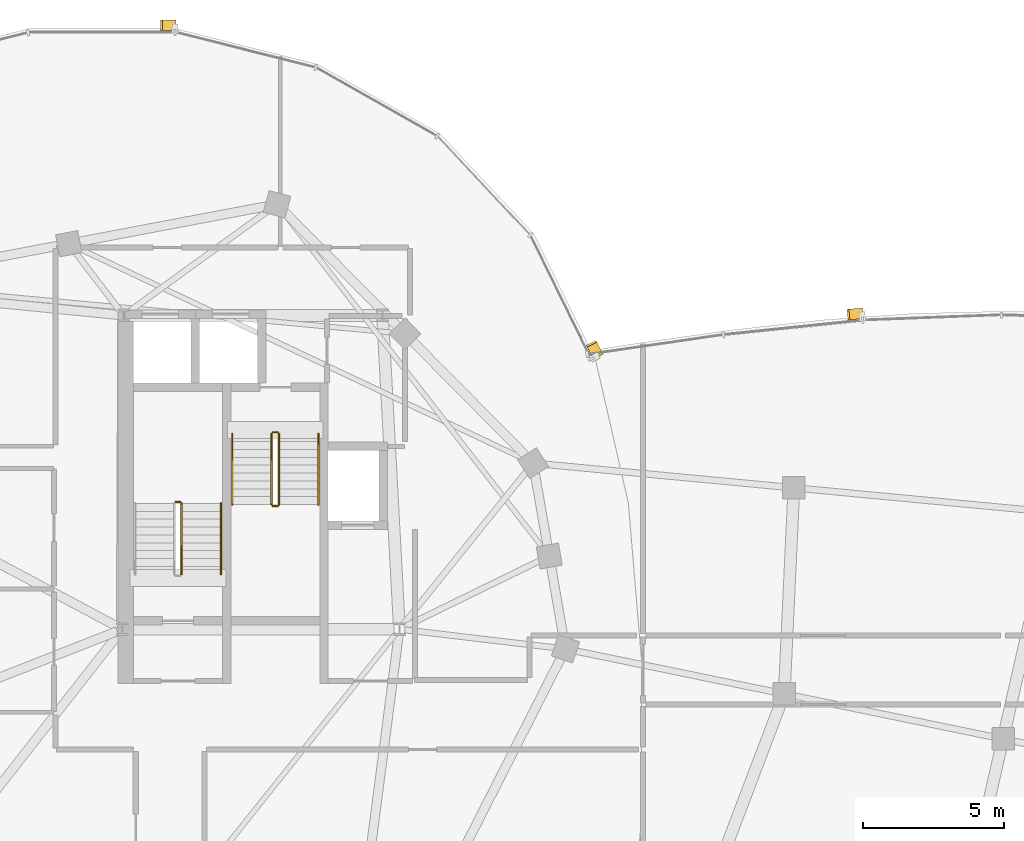
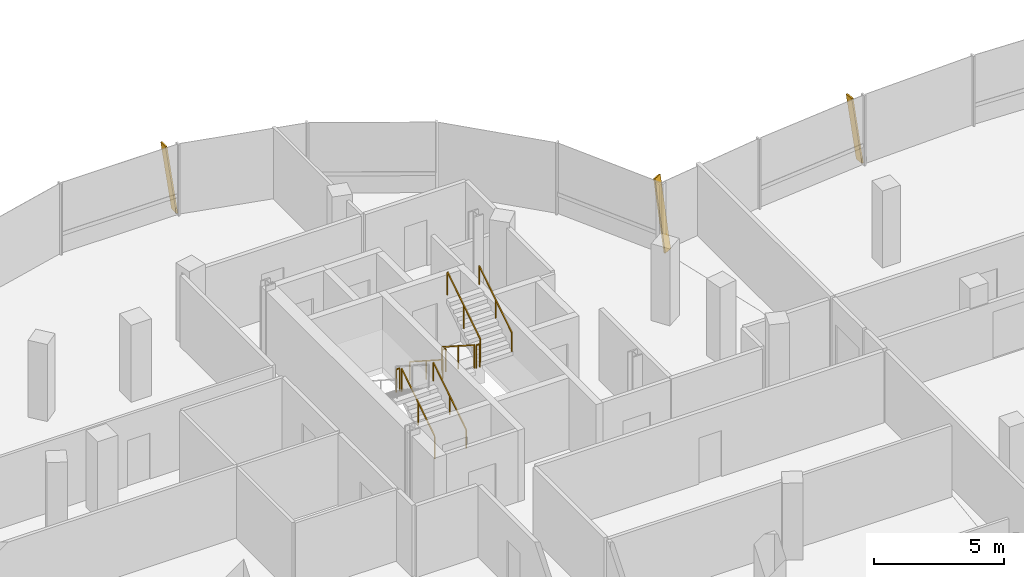
# One storey, part 23 of 25: 9 railings, 3 shading devices.
"""IFC4 building model written with IfcOpenShell, lengths in metres."""

from ifc_helpers import new_model, si_unit, direction, frame, origin, origin_2d, place, context, subcontext, project, spatial, rectangle, extrude, material, material_profile, profile_set, type_object, element, save


model = new_model("IFC4")

# Units and contexts
model_context = context("Model", 3, precision=1e-05, world=origin(), true_north=direction((0.0, 1.0)))
body_context = subcontext(model_context, "Body", "Model", "MODEL_VIEW")
ifc_project = project(units=[si_unit("LENGTHUNIT", "METRE"), si_unit("AREAUNIT", "SQUARE_METRE"), si_unit("VOLUMEUNIT", "CUBIC_METRE"), si_unit("PLANEANGLEUNIT", "RADIAN"), si_unit("MASSUNIT", "GRAM", prefix="KILO"), si_unit("THERMODYNAMICTEMPERATUREUNIT", "KELVIN"), si_unit("POWERUNIT", "WATT")], contexts=[model_context])

# Site, building, storey
site_placement = place(None, origin())
site = spatial("IfcSite", under=ifc_project, at=site_placement, CompositionType="ELEMENT")
building_placement = place(site_placement, origin())
building = spatial("IfcBuilding", under=site, at=building_placement, Name="Cundina Bronze Exchange", CompositionType="ELEMENT")
storey_placement = place(building_placement, frame((0.0, 0.0, 246.800048828125)))
storey = spatial("IfcBuildingStorey", under=building, at=storey_placement, Name="L65", CompositionType="ELEMENT", Elevation=246.800048828125)

# Railings
ifc_material_1 = material(Name="Steel ASTM A36 Painted", Category="steel")
railing_type_1 = type_object("IfcRailingType", Name="RLG-HND-900", PredefinedType="HANDRAIL", material=ifc_material_1)
railing_1_placement = place(storey_placement, frame((-27.7900390625, 5.85009765625, 0.179931640625)))
element("IfcRailing", 1, at=railing_1_placement, inside=storey, type_object=railing_type_1, Name="L65 ST-W1 stair handrail 1", PredefinedType="HANDRAIL", context=body_context, shape_type="SweptSolid", body=[
    extrude(rectangle(XDim=0.048095703125, YDim=0.048095703125, at=origin_2d()), frame((0.0, 0.0, 0.8759765625), z_axis=(0.0, 0.841162588446, 0.540782303519), x_axis=(-1.0, 0.0, 0.0)), (0.0, 0.0, 1.0), 2.995849609375),
    extrude(rectangle(XDim=0.0419921875, YDim=0.0419921875, at=origin_2d()), origin(), (0.0, 0.0, 1.0), 0.851806640625),
    extrude(rectangle(XDim=0.0419921875, YDim=0.0419921875, at=origin_2d()), frame((0.0, 1.260009765625, 0.81005859375)), (0.0, 0.0, 1.0), 0.851806640625),
    extrude(rectangle(XDim=0.0419921875, YDim=0.0419921875, at=origin_2d()), frame((0.0, 2.52001953125, 1.6201171875)), (0.0, 0.0, 1.0), 0.851806640625),
])
railing_2_placement = place(storey_placement, frame((-27.389892578125, 10.85009765625, 0.179931640625)))
element("IfcRailing", 2, at=railing_2_placement, inside=storey, type_object=railing_type_1, Name="L65 ST-W2 stair handrail 1", PredefinedType="HANDRAIL", context=body_context, shape_type="SweptSolid", body=[
    extrude(rectangle(XDim=0.048095703125, YDim=0.048095703125, at=origin_2d()), frame((0.0, 0.0, 0.8759765625), z_axis=(0.0, -0.841162588446, 0.540782303519), x_axis=(1.0, 0.0, 0.0)), (0.0, 0.0, 1.0), 2.995849609375),
    extrude(rectangle(XDim=0.0419921875, YDim=0.0419921875, at=origin_2d()), origin(), (0.0, 0.0, 1.0), 0.851806640625),
    extrude(rectangle(XDim=0.0419921875, YDim=0.0419921875, at=origin_2d()), frame((0.0, -1.260009765625, 0.81005859375)), (0.0, 0.0, 1.0), 0.851806640625),
    extrude(rectangle(XDim=0.0419921875, YDim=0.0419921875, at=origin_2d()), frame((0.0, -2.52001953125, 1.6201171875)), (0.0, 0.0, 1.0), 0.851806640625),
])
railing_3_placement = place(storey_placement, frame((-24.330078125, 8.330078125, 1.97998046875)))
element("IfcRailing", 3, at=railing_3_placement, inside=storey, type_object=railing_type_1, Name="L65 ST-W2 stair handrail 2", PredefinedType="HANDRAIL", context=body_context, shape_type="SweptSolid", body=[
    extrude(rectangle(XDim=0.048095703125, YDim=0.048095703125, at=origin_2d()), frame((0.0, 0.0, 0.8759765625), z_axis=(0.0, 0.841199657755, 0.540724639528), x_axis=(-1.0, 0.0, 0.0)), (0.0, 0.0, 1.0), 2.995849609375),
    extrude(rectangle(XDim=0.0419921875, YDim=0.0419921875, at=origin_2d()), origin(), (0.0, 0.0, 1.0), 0.851806640625),
    extrude(rectangle(XDim=0.0419921875, YDim=0.0419921875, at=origin_2d()), frame((0.0, 1.260009765625, 0.81005859375)), (0.0, 0.0, 1.0), 0.851806640625),
    extrude(rectangle(XDim=0.0419921875, YDim=0.0419921875, at=origin_2d()), frame((0.0, 2.52001953125, 1.619873046875)), (0.0, 0.0, 1.0), 0.851806640625),
])
railing_type_2 = type_object("IfcRailingType", Name="RLG-STG-1100", PredefinedType="GUARDRAIL", material=ifc_material_1)
railing_4_placement = place(storey_placement, frame((-29.18994140625, 5.85009765625, 0.179931640625)))
element("IfcRailing", 4, at=railing_4_placement, inside=storey, type_object=railing_type_2, Name="L65 ST-W1 stair guard 1", PredefinedType="GUARDRAIL", context=body_context, shape_type="SweptSolid", body=[
    extrude(rectangle(XDim=0.048095703125, YDim=0.048095703125, at=origin_2d()), frame((0.0, 0.0, 1.076171875), z_axis=(0.0, 0.841162588446, 0.540782303519), x_axis=(-1.0, 0.0, 0.0)), (0.0, 0.0, 1.0), 2.995849609375),
    extrude(rectangle(XDim=0.0419921875, YDim=0.0419921875, at=origin_2d()), origin(), (0.0, 0.0, 1.0), 1.052001953125),
    extrude(rectangle(XDim=0.0419921875, YDim=0.0419921875, at=origin_2d()), frame((0.0, 1.260009765625, 0.81005859375)), (0.0, 0.0, 1.0), 1.052001953125),
    extrude(rectangle(XDim=0.0419921875, YDim=0.0419921875, at=origin_2d()), frame((0.0, 2.52001953125, 1.6201171875)), (0.0, 0.0, 1.0), 1.052001953125),
])
railing_5_placement = place(storey_placement, frame((-29.239990234375, 8.419921875, 1.800048828125)))
element("IfcRailing", 5, at=railing_5_placement, inside=storey, type_object=railing_type_2, Name="L65 ST-W1 stair guard 2", PredefinedType="GUARDRAIL", context=body_context, shape_type="SweptSolid", body=[
    extrude(rectangle(XDim=0.048095703125, YDim=0.048095703125, at=origin_2d()), frame((0.0, 0.0, 1.076171875), z_axis=(-1.0, 0.0, 0.0), x_axis=(0.0, -1.0, 0.0)), (0.0, 0.0, 1.0), 0.159912109375),
    extrude(rectangle(XDim=0.0419921875, YDim=0.0419921875, at=origin_2d()), origin(), (0.0, 0.0, 1.0), 1.052001953125),
    extrude(rectangle(XDim=0.0419921875, YDim=0.0419921875, at=origin_2d()), frame((-0.159912109375, 0.0, 0.0)), (0.0, 0.0, 1.0), 1.052001953125),
])
railing_6_placement = place(storey_placement, frame((-25.989990234375, 10.85009765625, 0.179931640625)))
element("IfcRailing", 6, at=railing_6_placement, inside=storey, type_object=railing_type_2, Name="L65 ST-W2 stair guard 1", PredefinedType="GUARDRAIL", context=body_context, shape_type="SweptSolid", body=[
    extrude(rectangle(XDim=0.048095703125, YDim=0.048095703125, at=origin_2d()), frame((0.0, 0.0, 1.076171875), z_axis=(0.0, -0.841162588446, 0.540782303519), x_axis=(1.0, 0.0, 0.0)), (0.0, 0.0, 1.0), 2.995849609375),
    extrude(rectangle(XDim=0.0419921875, YDim=0.0419921875, at=origin_2d()), origin(), (0.0, 0.0, 1.0), 1.052001953125),
    extrude(rectangle(XDim=0.0419921875, YDim=0.0419921875, at=origin_2d()), frame((0.0, -1.260009765625, 0.81005859375)), (0.0, 0.0, 1.0), 1.052001953125),
    extrude(rectangle(XDim=0.0419921875, YDim=0.0419921875, at=origin_2d()), frame((0.0, -2.52001953125, 1.6201171875)), (0.0, 0.0, 1.0), 1.052001953125),
])
railing_7_placement = place(storey_placement, frame((-25.93994140625, 8.280029296875, 1.800048828125)))
element("IfcRailing", 7, at=railing_7_placement, inside=storey, type_object=railing_type_2, Name="L65 ST-W2 stair guard 2", PredefinedType="GUARDRAIL", context=body_context, shape_type="SweptSolid", body=[
    extrude(rectangle(XDim=0.048095703125, YDim=0.048095703125, at=origin_2d()), frame((0.0, 0.0, 1.076171875), z_axis=(1.0, 0.0, 0.0), x_axis=(0.0, 1.0, 0.0)), (0.0, 0.0, 1.0), 0.159912109375),
    extrude(rectangle(XDim=0.0419921875, YDim=0.0419921875, at=origin_2d()), origin(), (0.0, 0.0, 1.0), 1.052001953125),
    extrude(rectangle(XDim=0.0419921875, YDim=0.0419921875, at=origin_2d()), frame((0.159912109375, 0.0, 0.0)), (0.0, 0.0, 1.0), 1.052001953125),
])
railing_8_placement = place(storey_placement, frame((-25.72998046875, 8.330078125, 1.97998046875)))
element("IfcRailing", 8, at=railing_8_placement, inside=storey, type_object=railing_type_2, Name="L65 ST-W2 stair guard 3", PredefinedType="GUARDRAIL", context=body_context, shape_type="SweptSolid", body=[
    extrude(rectangle(XDim=0.048095703125, YDim=0.048095703125, at=origin_2d()), frame((0.0, 0.0, 1.076171875), z_axis=(0.0, 0.841199657755, 0.540724639528), x_axis=(-1.0, 0.0, 0.0)), (0.0, 0.0, 1.0), 2.995849609375),
    extrude(rectangle(XDim=0.0419921875, YDim=0.0419921875, at=origin_2d()), origin(), (0.0, 0.0, 1.0), 1.052001953125),
    extrude(rectangle(XDim=0.0419921875, YDim=0.0419921875, at=origin_2d()), frame((0.0, 1.260009765625, 0.81005859375)), (0.0, 0.0, 1.0), 1.052001953125),
    extrude(rectangle(XDim=0.0419921875, YDim=0.0419921875, at=origin_2d()), frame((0.0, 2.52001953125, 1.619873046875)), (0.0, 0.0, 1.0), 1.052001953125),
])
railing_9_placement = place(storey_placement, frame((-25.93994140625, 10.89990234375, 0.0)))
element("IfcRailing", 9, at=railing_9_placement, inside=storey, type_object=railing_type_2, Name="L65 ST-W2 stair guard 4", PredefinedType="GUARDRAIL", context=body_context, shape_type="SweptSolid", body=[
    extrude(rectangle(XDim=0.048095703125, YDim=0.048095703125, at=origin_2d()), frame((0.0, 0.0, 1.076171875), z_axis=(1.0, 0.0, 0.0), x_axis=(0.0, 1.0, 0.0)), (0.0, 0.0, 1.0), 0.159912109375),
    extrude(rectangle(XDim=0.0419921875, YDim=0.0419921875, at=origin_2d()), origin(), (0.0, 0.0, 1.0), 1.052001953125),
    extrude(rectangle(XDim=0.0419921875, YDim=0.0419921875, at=origin_2d()), frame((0.159912109375, 0.0, 0.0)), (0.0, 0.0, 1.0), 1.052001953125),
])

# Shading devices
ifc_material_2 = material(Name="Anodised Bronze Aluminium 6063-T6", Category="aluminium")
ifc_material_profile = material_profile(ifc_material_2, rectangle(XDim=0.070068359375, YDim=0.3798828125, at=origin_2d()), Name="FIN70X380", Category="aluminium")
ifc_profile_set = profile_set([ifc_material_profile], Name="Anodised Bronze Aluminium 6063-T6")
shading_device_type = type_object("IfcShadingDeviceType", Name="SHD-FIN-BRZ380", PredefinedType="USERDEFINED", material=ifc_profile_set)
for number, where, z_axis, x_axis, name in (
    (10, (-14.406494140625, 13.614013671875, 0.02001953125), (-0.063400368732, 0.129216686851, 0.989587510574), (0.435900311632, -0.888411143223, 0.143932480407), "L65 Diagonal Bronze Solar Fin 1"),
    (11, (-29.423583984375, 25.360107421875, 0.02001953125), (-0.143932024572, 0.0, 0.989587576874), (0.989587576874, 0.0, 0.143932024572), "L65 Diagonal Bronze Solar Fin 5"),
):
    element("IfcShadingDevice", number, at=place(storey_placement, frame(where, z_axis=z_axis, x_axis=x_axis)), inside=storey, type_object=shading_device_type, Name=name, ObjectType="FIN", PredefinedType="USERDEFINED", context=body_context, shape_type="SweptSolid", body=[
        extrude(rectangle(XDim=0.070068359375, YDim=0.3798828125, at=origin_2d()), origin(), (0.0, 0.0, 1.0), 3.334716796875),
    ])
shading_device_placement = place(storey_placement, frame((-5.0146484375, 15.12890625, 0.02001953125), z_axis=(-0.145724273631, -0.015056932621, 0.989210657471), x_axis=(0.983972150742, 0.101668733734, 0.14650008582)))
element("IfcShadingDevice", 12, at=shading_device_placement, inside=storey, type_object=shading_device_type, Name="L65 Diagonal Bronze Solar Fin 5", ObjectType="FIN", PredefinedType="USERDEFINED", context=body_context, shape_type="SweptSolid", body=[
    extrude(rectangle(XDim=0.070068359375, YDim=0.3798828125, at=origin_2d()), origin(), (0.0, 0.0, 1.0), 3.275390625),
])

save(model, "model.ifc")
